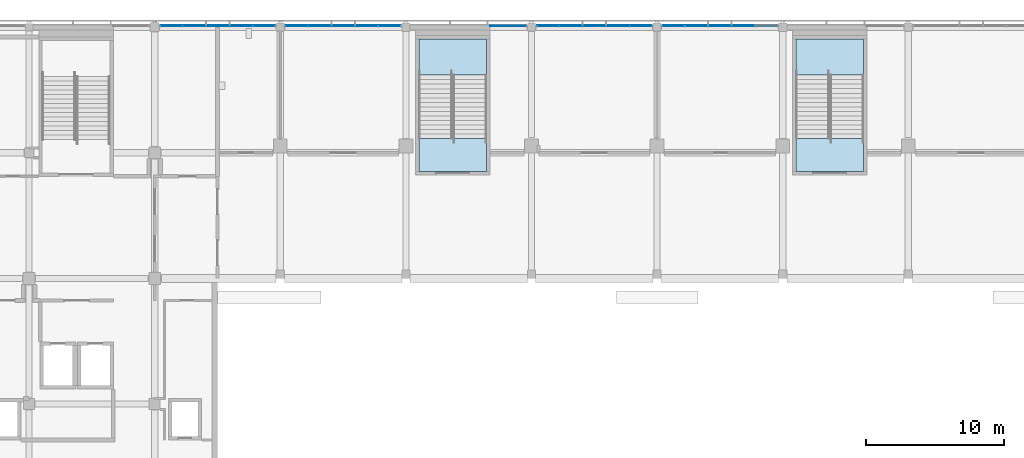
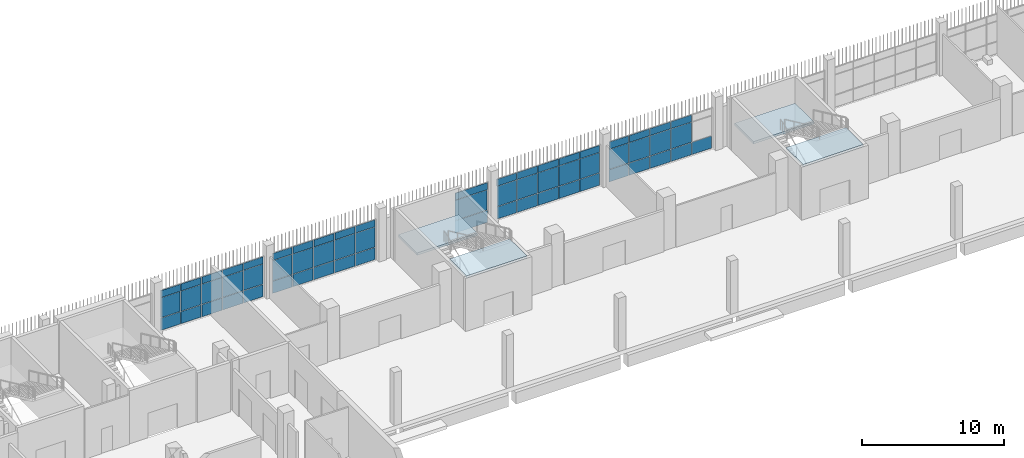
# One storey, part 68 of 126: 61 plates, 4 slabs, 7 elements without a shape of their own.
"""IFC4 building model written with IfcOpenShell, lengths in metres."""

import ifcopenshell
import ifcopenshell.guid

model = None  # the IFC model being written
_history = None  # IfcOwnerHistory: only IFC2X3 demands one
_inside = {}  # id of a spatial element -> (the spatial element, [elements in it])
_under = {}  # id of a project, library or spatial element -> (it, [spatial elements below it])
_declared = {}  # id of a project -> (the project, [libraries it declares])
_typed = {}  # id of a type object -> (the type object, [elements of that type])
_made_of = {}  # id of a material, layer set ... -> (it, [elements and type objects made of it])


def new_model(schema):
    """Start an empty IFC model of exactly this schema.

    Asked for "IFC4X3", IfcOpenShell would pick the latest addendum, in which some entities
    have other attributes; the version numbers below select the first issue.
    IFC2X3 requires an IfcOwnerHistory on every rooted entity: one is made here for all.
    """
    global model, _history
    if schema == "IFC4X3":
        model = ifcopenshell.file(schema_version=(4, 3, 0, 0))
    else:
        model = ifcopenshell.file(schema=schema)
    _inside.clear()
    _under.clear()
    _declared.clear()
    _typed.clear()
    _made_of.clear()
    _history = None
    if model.schema == "IFC2X3":
        org = make("IfcOrganization", Name="unknown")
        user = make(
            "IfcPersonAndOrganization",
            ThePerson=make("IfcPerson", FamilyName="unknown"),
            TheOrganization=org,
        )
        app = make(
            "IfcApplication",
            ApplicationDeveloper=org,
            Version="unknown",
            ApplicationFullName="unknown",
            ApplicationIdentifier="unknown",
        )
        _history = make(
            "IfcOwnerHistory",
            OwningUser=user,
            OwningApplication=app,
            ChangeAction="ADDED",
            CreationDate=0,
        )
    return model


def make(cls, **values):
    """One entity of the class cls with the attributes given. An attribute that is None is left unset."""
    return model.create_entity(
        cls, **{name: value for name, value in values.items() if value is not None}
    )


def rooted(cls, **values):
    """An entity with a GlobalId (a new one), such as an element, a storey or a relation."""
    return make(cls, GlobalId=ifcopenshell.guid.new(), OwnerHistory=_history, **values)


def si_unit(unit_type, name, prefix=None):
    """IfcSIUnit, for example si_unit("LENGTHUNIT", "METRE", prefix="MILLI")."""
    return make("IfcSIUnit", UnitType=unit_type, Prefix=prefix, Name=name)


def assignment(units):
    """IfcUnitAssignment: the units of a project."""
    return None if units is None else make("IfcUnitAssignment", Units=units)


def point(xyz):
    """IfcCartesianPoint."""
    return None if xyz is None else make("IfcCartesianPoint", Coordinates=xyz)


def direction(xyz):
    """IfcDirection."""
    return None if xyz is None else make("IfcDirection", DirectionRatios=xyz)


def frame(location, z_axis=None, x_axis=None):
    """IfcAxis2Placement3D, a coordinate frame: its origin and axes. An axis left out is left unset."""
    return make(
        "IfcAxis2Placement3D",
        Location=point(location),
        Axis=direction(z_axis),
        RefDirection=direction(x_axis),
    )


def frame_2d(location, x_axis=None):
    """IfcAxis2Placement2D, a coordinate frame in the plane: its origin and x axis."""
    return make(
        "IfcAxis2Placement2D", Location=point(location), RefDirection=direction(x_axis)
    )


def origin():
    """The frame at (0, 0, 0) with its axes left unset."""
    return frame((0.0, 0.0, 0.0))


def origin_2d():
    """The frame at (0, 0) in the plane with its x axis left unset."""
    return frame_2d((0.0, 0.0))


def place(relative_to, where):
    """IfcLocalPlacement: puts the frame where relative to a parent placement (None: the world)."""
    return make(
        "IfcLocalPlacement", PlacementRelTo=relative_to, RelativePlacement=where
    )


def context(
    kind, dimensions, precision=None, world=None, true_north=None, identifier=None
):
    """IfcGeometricRepresentationContext, for example the 3D "Model" context."""
    return make(
        "IfcGeometricRepresentationContext",
        ContextIdentifier=identifier,
        ContextType=kind,
        CoordinateSpaceDimension=dimensions,
        Precision=precision,
        WorldCoordinateSystem=world,
        TrueNorth=true_north,
    )


def subcontext(parent, identifier, kind, view, scale=None):
    """IfcGeometricRepresentationSubContext, for example "Body" below "Model"."""
    return make(
        "IfcGeometricRepresentationSubContext",
        ContextIdentifier=identifier,
        ContextType=kind,
        ParentContext=parent,
        TargetScale=scale,
        TargetView=view,
    )


def project(units=None, contexts=None):
    """IfcProject with its units and contexts."""
    return rooted(
        "IfcProject",
        Name="project",
        RepresentationContexts=contexts,
        UnitsInContext=assignment(units),
    )


def spatial(cls, under=None, at=None, **own):
    """A site, building, storey or space (cls), placed at a placement, below another one or the project."""
    s = rooted(cls, ObjectPlacement=at, **own)
    if under is not None:
        _under.setdefault(under.id(), (under, []))[1].append(s)
    return s


def polyline(points):
    """IfcPolyline through the points."""
    return make("IfcPolyline", Points=[point(p) for p in points])


def profile(cls, at=None, kind="AREA", **sizes):
    """A parametric profile (cls). Its sizes go by their IFC names, for example OverallWidth=200.0."""
    return make(cls, ProfileType=kind, Position=at, **sizes)


def rectangle(**sizes):
    """IfcRectangleProfileDef."""
    return profile("IfcRectangleProfileDef", **sizes)


def outline(outer, holes=None, kind="AREA"):
    """IfcArbitraryClosedProfileDef: a profile drawn as a closed curve; with holes, ...WithVoids."""
    if holes is None:
        return make("IfcArbitraryClosedProfileDef", ProfileType=kind, OuterCurve=outer)
    return make(
        "IfcArbitraryProfileDefWithVoids",
        ProfileType=kind,
        OuterCurve=outer,
        InnerCurves=holes,
    )


def extrude(swept, where, along, depth):
    """IfcExtrudedAreaSolid: the profile swept, set in the frame where, extruded along a direction by depth."""
    return make(
        "IfcExtrudedAreaSolid",
        SweptArea=swept,
        Position=where,
        ExtrudedDirection=direction(along),
        Depth=depth,
    )


def shape(context_of_items, identifier, shape_type, items):
    """IfcShapeRepresentation: the items that make up one representation, for example the "Body"."""
    return make(
        "IfcShapeRepresentation",
        ContextOfItems=context_of_items,
        RepresentationIdentifier=identifier,
        RepresentationType=shape_type,
        Items=items,
    )


def material(Name=None, Category=None):
    """IfcMaterial."""
    return make("IfcMaterial", Name=Name, Category=Category)


def layer(
    of_material, thickness, ventilated=None, Name=None, Category=None, Priority=None
):
    """IfcMaterialLayer: one layer of a wall or slab, of a material (None: an air gap)."""
    return make(
        "IfcMaterialLayer",
        Material=of_material,
        LayerThickness=thickness,
        IsVentilated=ventilated,
        Name=Name,
        Category=Category,
        Priority=Priority,
    )


def layer_set(layers, Name=None):
    """IfcMaterialLayerSet."""
    return make("IfcMaterialLayerSet", MaterialLayers=layers, LayerSetName=Name)


def made_of(thing, what):
    """Note that an element or type object is made of a material, layer set ...; save() writes the relation."""
    if what is not None:
        _made_of.setdefault(what.id(), (what, []))[1].append(thing)
    return thing


def type_object(cls, material=None, **own):
    """A type object (cls), such as IfcWallType, which elements share."""
    return made_of(rooted(cls, **own), material)


def element(
    cls,
    number,
    at=None,
    inside=None,
    cuts=None,
    type_object=None,
    material=None,
    context=None,
    identifier="Body",
    shape_type=None,
    held_by="IfcProductDefinitionShape",
    body=None,
    shapes=None,
    **own,
):
    """One element of the class cls, such as IfcWall. Its Tag is "e" and its number.

    at: its placement. inside: the storey or other place that contains it. cuts: it is an
    opening in that element (IfcRelVoidsElement). A single representation is given by context,
    identifier, shape_type and body (its items); several are given by shapes. held_by: the class
    of the entity that holds the representations. save() writes the other relations.
    """
    e = rooted(cls, Tag="e%d" % number, ObjectPlacement=at, **own)
    if body is not None:
        shapes = [shape(context, identifier, shape_type, body)]
    if shapes is not None:
        e.Representation = make(held_by, Representations=shapes)
    if inside is not None:
        _inside.setdefault(inside.id(), (inside, []))[1].append(e)
    if cuts is not None:
        rooted(
            "IfcRelVoidsElement", RelatingBuildingElement=cuts, RelatedOpeningElement=e
        )
    if type_object is not None:
        _typed.setdefault(type_object.id(), (type_object, []))[1].append(e)
    return made_of(e, material)


def aggregate(whole, parts):
    """IfcRelAggregates: a whole, such as a stair, and the parts it consists of."""
    return rooted("IfcRelAggregates", RelatingObject=whole, RelatedObjects=parts)


def save(model, path):
    """Write the relations noted so far, then the file.

    IfcRelAggregates (storeys below a building ...), IfcRelContainedInSpatialStructure (elements
    in a storey), IfcRelDefinesByType, IfcRelAssociatesMaterial and IfcRelDeclares: one each for
    every whole, place, type object, material and project.
    """
    for whole, parts in _under.values():
        aggregate(whole, parts)
    for where, things in _inside.values():
        rooted(
            "IfcRelContainedInSpatialStructure",
            RelatedElements=things,
            RelatingStructure=where,
        )
    for kind, things in _typed.values():
        rooted("IfcRelDefinesByType", RelatedObjects=things, RelatingType=kind)
    for what, things in _made_of.values():
        rooted("IfcRelAssociatesMaterial", RelatedObjects=things, RelatingMaterial=what)
    for by, libraries in _declared.values():
        rooted("IfcRelDeclares", RelatingContext=by, RelatedDefinitions=libraries)
    model.write(path)


model = new_model("IFC4")

# Units and contexts
model_context = context("Model", 3, precision=1e-05, world=origin(), true_north=direction((0.0, 1.0)))
body_context = subcontext(model_context, "Body", "Model", "MODEL_VIEW")
ifc_project = project(units=[si_unit("LENGTHUNIT", "METRE"), si_unit("AREAUNIT", "SQUARE_METRE"), si_unit("VOLUMEUNIT", "CUBIC_METRE"), si_unit("PLANEANGLEUNIT", "RADIAN"), si_unit("MASSUNIT", "GRAM", prefix="KILO")], contexts=[model_context])

# Site, building, storey
site_placement = place(None, origin())
site = spatial("IfcSite", under=ifc_project, at=site_placement, CompositionType="ELEMENT")
building_placement = place(site_placement, origin())
building = spatial("IfcBuilding", under=site, at=building_placement, Name="Shirokan Park Arena", CompositionType="ELEMENT")
storey_placement = place(building_placement, frame((0.0, 0.0, 6.3701171875)))
storey = spatial("IfcBuildingStorey", under=building, at=storey_placement, Name="L01", CompositionType="ELEMENT", Elevation=6.3701171875)

# Curtain wall, plates
ifc_material_1 = material(Name="Steel and glass curtain wall", Category="steel")
ifc_layer_1 = layer(ifc_material_1, 0.10009765625)
ifc_layer_set_1 = layer_set([ifc_layer_1], Name="Steel and glass curtain wall 100 mm")
curtain_wall_type_1 = type_object("IfcCurtainWallType", Name="Curtain wall sheltered bay 100", PredefinedType="NOTDEFINED", material=ifc_layer_set_1)
curtain_wall_1_placement = place(storey_placement, origin())
curtain_wall_1 = element("IfcCurtainWall", 1, at=curtain_wall_1_placement, inside=storey, type_object=curtain_wall_type_1, Name="Curtain wall north bay 8 L01", PredefinedType="NOTDEFINED")
ifc_material_2 = material(Name="Aluminium sheet", Category="aluminium")
ifc_layer_2 = layer(ifc_material_2, 0.0029296875, Name="Aluminium sheet")
ifc_material_3 = material(Name="Mineral wool insulation")
ifc_layer_3 = layer(ifc_material_3, 0.053955078125, Name="Mineral wool insulation")
ifc_layer_4 = layer(ifc_material_2, 0.0029296875, Name="Aluminium sheet")
ifc_layer_set_2 = layer_set([ifc_layer_2, ifc_layer_3, ifc_layer_4], Name="Aluminium sheet + Mineral wool insulation")
plate_type_1 = type_object("IfcPlateType", Name="Insulated spandrel panel 60", PredefinedType="CURTAIN_PANEL", material=ifc_layer_set_2)
plate_1_placement = place(storey_placement, frame((79.050048828125, 109.300048828125, 2.86962890625), z_axis=(0.0, 0.0, 1.0), x_axis=(-1.0, 0.0, 0.0)))
plate_1 = element("IfcPlate", 2, at=plate_1_placement, type_object=plate_type_1, Name="CW2 panel 2.3", PredefinedType="CURTAIN_PANEL", context=body_context, shape_type="SweptSolid", body=[
    extrude(rectangle(XDim=1.64990234375, YDim=0.06005859375, at=origin_2d()), origin(), (0.0, 0.0, 1.0), 0.590087890625),
])
plate_2_placement = place(storey_placement, frame((77.35009765625, 109.300048828125, 2.86962890625), z_axis=(0.0, 0.0, 1.0), x_axis=(-1.0, 0.0, 0.0)))
plate_2 = element("IfcPlate", 3, at=plate_2_placement, type_object=plate_type_1, Name="CW2 panel 3.3", PredefinedType="CURTAIN_PANEL", context=body_context, shape_type="SweptSolid", body=[
    extrude(rectangle(XDim=1.64990234375, YDim=0.06005859375, at=origin_2d()), origin(), (0.0, 0.0, 1.0), 0.590087890625),
])
plate_3_placement = place(storey_placement, frame((75.64990234375, 109.300048828125, 2.86962890625), z_axis=(0.0, 0.0, 1.0), x_axis=(-1.0, 0.0, 0.0)))
plate_3 = element("IfcPlate", 4, at=plate_3_placement, type_object=plate_type_1, Name="CW2 panel 4.3", PredefinedType="CURTAIN_PANEL", context=body_context, shape_type="SweptSolid", body=[
    extrude(rectangle(XDim=1.64990234375, YDim=0.06005859375, at=origin_2d()), origin(), (0.0, 0.0, 1.0), 0.590087890625),
])
plate_4_placement = place(storey_placement, frame((73.987548828125, 109.300048828125, 2.86962890625), z_axis=(0.0, 0.0, 1.0), x_axis=(-1.0, 0.0, 0.0)))
plate_4 = element("IfcPlate", 5, at=plate_4_placement, type_object=plate_type_1, Name="CW2 panel 5.3", PredefinedType="CURTAIN_PANEL", context=body_context, shape_type="SweptSolid", body=[
    extrude(rectangle(XDim=1.574951171875, YDim=0.06005859375, at=origin_2d()), origin(), (0.0, 0.0, 1.0), 0.590087890625),
])

curtain_wall_2_placement = place(storey_placement, origin())
curtain_wall_2 = element("IfcCurtainWall", 6, at=curtain_wall_2_placement, inside=storey, type_object=curtain_wall_type_1, Name="Curtain wall north bay 9 L01", PredefinedType="NOTDEFINED")
plate_5_placement = place(storey_placement, frame((71.612548828125, 109.300048828125, 2.86962890625), z_axis=(0.0, 0.0, 1.0), x_axis=(-1.0, 0.0, 0.0)))
plate_5 = element("IfcPlate", 7, at=plate_5_placement, type_object=plate_type_1, Name="CW2 panel 1.3", PredefinedType="CURTAIN_PANEL", context=body_context, shape_type="SweptSolid", body=[
    extrude(rectangle(XDim=1.574951171875, YDim=0.06005859375, at=origin_2d()), origin(), (0.0, 0.0, 1.0), 0.590087890625),
])
plate_6_placement = place(storey_placement, frame((69.949951171875, 109.300048828125, 2.86962890625), z_axis=(0.0, 0.0, 1.0), x_axis=(-1.0, 0.0, 0.0)))
plate_6 = element("IfcPlate", 8, at=plate_6_placement, type_object=plate_type_1, Name="CW2 panel 2.3", PredefinedType="CURTAIN_PANEL", context=body_context, shape_type="SweptSolid", body=[
    extrude(rectangle(XDim=1.64990234375, YDim=0.06005859375, at=origin_2d()), origin(), (0.0, 0.0, 1.0), 0.590087890625),
])
plate_7_placement = place(storey_placement, frame((68.25, 109.300048828125, 2.86962890625), z_axis=(0.0, 0.0, 1.0), x_axis=(-1.0, 0.0, 0.0)))
plate_7 = element("IfcPlate", 9, at=plate_7_placement, type_object=plate_type_1, Name="CW2 panel 3.3", PredefinedType="CURTAIN_PANEL", context=body_context, shape_type="SweptSolid", body=[
    extrude(rectangle(XDim=1.64990234375, YDim=0.06005859375, at=origin_2d()), origin(), (0.0, 0.0, 1.0), 0.590087890625),
])
plate_8_placement = place(storey_placement, frame((66.550048828125, 109.300048828125, 2.86962890625), z_axis=(0.0, 0.0, 1.0), x_axis=(-1.0, 0.0, 0.0)))
plate_8 = element("IfcPlate", 10, at=plate_8_placement, type_object=plate_type_1, Name="CW2 panel 4.3", PredefinedType="CURTAIN_PANEL", context=body_context, shape_type="SweptSolid", body=[
    extrude(rectangle(XDim=1.64990234375, YDim=0.06005859375, at=origin_2d()), origin(), (0.0, 0.0, 1.0), 0.590087890625),
])
plate_9_placement = place(storey_placement, frame((64.887451171875, 109.300048828125, 2.86962890625), z_axis=(0.0, 0.0, 1.0), x_axis=(-1.0, 0.0, 0.0)))
plate_9 = element("IfcPlate", 11, at=plate_9_placement, type_object=plate_type_1, Name="CW2 panel 5.3", PredefinedType="CURTAIN_PANEL", context=body_context, shape_type="SweptSolid", body=[
    extrude(rectangle(XDim=1.574951171875, YDim=0.06005859375, at=origin_2d()), origin(), (0.0, 0.0, 1.0), 0.590087890625),
])

# Curtain wall, plate
ifc_layer_5 = layer(ifc_material_1, 0.1201171875)
ifc_layer_set_3 = layer_set([ifc_layer_5], Name="Steel and glass curtain wall 120 mm")
curtain_wall_type_2 = type_object("IfcCurtainWallType", Name="Curtain wall corner block side bay 120", PredefinedType="NOTDEFINED", material=ifc_layer_set_3)
curtain_wall_3_placement = place(storey_placement, origin())
curtain_wall_3 = element("IfcCurtainWall", 12, at=curtain_wall_3_placement, inside=storey, type_object=curtain_wall_type_2, Name="Curtain wall north bay 10 L01", PredefinedType="NOTDEFINED")
plate_10_placement = place(storey_placement, frame((62.0, 109.2900390625, 2.86962890625), z_axis=(0.0, 0.0, 1.0), x_axis=(-1.0, 0.0, 0.0)))
plate_10 = element("IfcPlate", 13, at=plate_10_placement, type_object=plate_type_1, Name="CW3 panel 1.3", PredefinedType="CURTAIN_PANEL", context=body_context, shape_type="SweptSolid", body=[
    extrude(rectangle(XDim=2.60009765625, YDim=0.06005859375, at=origin_2d()), origin(), (0.0, 0.0, 1.0), 0.590087890625),
])

# Curtain wall, plates
curtain_wall_4_placement = place(storey_placement, origin())
curtain_wall_4 = element("IfcCurtainWall", 14, at=curtain_wall_4_placement, inside=storey, type_object=curtain_wall_type_1, Name="Curtain wall north bay 11 L01", PredefinedType="NOTDEFINED")
plate_11_placement = place(storey_placement, frame((53.41259765625, 109.300048828125, 2.86962890625), z_axis=(0.0, 0.0, 1.0), x_axis=(-1.0, 0.0, 0.0)))
plate_11 = element("IfcPlate", 15, at=plate_11_placement, type_object=plate_type_1, Name="CW2 panel 1.3", PredefinedType="CURTAIN_PANEL", context=body_context, shape_type="SweptSolid", body=[
    extrude(rectangle(XDim=1.574951171875, YDim=0.06005859375, at=origin_2d()), origin(), (0.0, 0.0, 1.0), 0.590087890625),
])
plate_12_placement = place(storey_placement, frame((51.75, 109.300048828125, 2.86962890625), z_axis=(0.0, 0.0, 1.0), x_axis=(-1.0, 0.0, 0.0)))
plate_12 = element("IfcPlate", 16, at=plate_12_placement, type_object=plate_type_1, Name="CW2 panel 2.3", PredefinedType="CURTAIN_PANEL", context=body_context, shape_type="SweptSolid", body=[
    extrude(rectangle(XDim=1.64990234375, YDim=0.06005859375, at=origin_2d()), origin(), (0.0, 0.0, 1.0), 0.590087890625),
])
plate_13_placement = place(storey_placement, frame((50.050048828125, 109.300048828125, 2.86962890625), z_axis=(0.0, 0.0, 1.0), x_axis=(-1.0, 0.0, 0.0)))
plate_13 = element("IfcPlate", 17, at=plate_13_placement, type_object=plate_type_1, Name="CW2 panel 3.3", PredefinedType="CURTAIN_PANEL", context=body_context, shape_type="SweptSolid", body=[
    extrude(rectangle(XDim=1.64990234375, YDim=0.06005859375, at=origin_2d()), origin(), (0.0, 0.0, 1.0), 0.590087890625),
])
plate_14_placement = place(storey_placement, frame((48.35009765625, 109.300048828125, 2.86962890625), z_axis=(0.0, 0.0, 1.0), x_axis=(-1.0, 0.0, 0.0)))
plate_14 = element("IfcPlate", 18, at=plate_14_placement, type_object=plate_type_1, Name="CW2 panel 4.3", PredefinedType="CURTAIN_PANEL", context=body_context, shape_type="SweptSolid", body=[
    extrude(rectangle(XDim=1.64990234375, YDim=0.06005859375, at=origin_2d()), origin(), (0.0, 0.0, 1.0), 0.590087890625),
])
plate_15_placement = place(storey_placement, frame((46.6875, 109.300048828125, 2.86962890625), z_axis=(0.0, 0.0, 1.0), x_axis=(-1.0, 0.0, 0.0)))
plate_15 = element("IfcPlate", 19, at=plate_15_placement, type_object=plate_type_1, Name="CW2 panel 5.3", PredefinedType="CURTAIN_PANEL", context=body_context, shape_type="SweptSolid", body=[
    extrude(rectangle(XDim=1.574951171875, YDim=0.06005859375, at=origin_2d()), origin(), (0.0, 0.0, 1.0), 0.590087890625),
])

curtain_wall_5_placement = place(storey_placement, origin())
curtain_wall_5 = element("IfcCurtainWall", 20, at=curtain_wall_5_placement, inside=storey, type_object=curtain_wall_type_1, Name="Curtain wall north bay 12 L01", PredefinedType="NOTDEFINED")
plate_16_placement = place(storey_placement, frame((44.31494140625, 109.300048828125, 2.86962890625), z_axis=(0.0, 0.0, 1.0), x_axis=(-1.0, 0.0, 0.0)))
plate_16 = element("IfcPlate", 21, at=plate_16_placement, type_object=plate_type_1, Name="CW2 panel 1.3", PredefinedType="CURTAIN_PANEL", context=body_context, shape_type="SweptSolid", body=[
    extrude(rectangle(XDim=1.570068359375, YDim=0.06005859375, at=origin_2d()), origin(), (0.0, 0.0, 1.0), 0.590087890625),
])
plate_17_placement = place(storey_placement, frame((42.657470703125, 109.300048828125, 2.86962890625), z_axis=(0.0, 0.0, 1.0), x_axis=(-1.0, 0.0, 0.0)))
plate_17 = element("IfcPlate", 22, at=plate_17_placement, type_object=plate_type_1, Name="CW2 panel 2.3", PredefinedType="CURTAIN_PANEL", context=body_context, shape_type="SweptSolid", body=[
    extrude(rectangle(XDim=1.64501953125, YDim=0.06005859375, at=origin_2d()), origin(), (0.0, 0.0, 1.0), 0.590087890625),
])
plate_18_placement = place(storey_placement, frame((40.96240234375, 109.300048828125, 2.86962890625), z_axis=(0.0, 0.0, 1.0), x_axis=(-1.0, 0.0, 0.0)))
plate_18 = element("IfcPlate", 23, at=plate_18_placement, type_object=plate_type_1, Name="CW2 panel 3.3", PredefinedType="CURTAIN_PANEL", context=body_context, shape_type="SweptSolid", body=[
    extrude(rectangle(XDim=1.64501953125, YDim=0.06005859375, at=origin_2d()), origin(), (0.0, 0.0, 1.0), 0.590087890625),
])
plate_19_placement = place(storey_placement, frame((39.267578125, 109.300048828125, 2.86962890625), z_axis=(0.0, 0.0, 1.0), x_axis=(-1.0, 0.0, 0.0)))
plate_19 = element("IfcPlate", 24, at=plate_19_placement, type_object=plate_type_1, Name="CW2 panel 4.3", PredefinedType="CURTAIN_PANEL", context=body_context, shape_type="SweptSolid", body=[
    extrude(rectangle(XDim=1.64501953125, YDim=0.06005859375, at=origin_2d()), origin(), (0.0, 0.0, 1.0), 0.590087890625),
])
plate_20_placement = place(storey_placement, frame((37.610107421875, 109.300048828125, 2.86962890625), z_axis=(0.0, 0.0, 1.0), x_axis=(-1.0, 0.0, 0.0)))
plate_20 = element("IfcPlate", 25, at=plate_20_placement, type_object=plate_type_1, Name="CW2 panel 5.3", PredefinedType="CURTAIN_PANEL", context=body_context, shape_type="SweptSolid", body=[
    extrude(rectangle(XDim=1.570068359375, YDim=0.06005859375, at=origin_2d()), origin(), (0.0, 0.0, 1.0), 0.590087890625),
])

# Plate
ifc_material_4 = material(Name="Toughened glass", Category="glass")
ifc_layer_6 = layer(ifc_material_4, 0.012939453125, Name="Toughened glass")
ifc_material_5 = material(Name="Interlayer film")
ifc_layer_7 = layer(ifc_material_5, 0.001953125, Name="Interlayer film")
ifc_layer_8 = layer(ifc_material_4, 0.012939453125, Name="Toughened glass")
ifc_layer_set_4 = layer_set([ifc_layer_6, ifc_layer_7, ifc_layer_8], Name="Toughened glass + Interlayer film")
plate_type_2 = type_object("IfcPlateType", Name="Laminated glass panel 28", PredefinedType="CURTAIN_PANEL", material=ifc_layer_set_4)
plate_21_placement = place(storey_placement, frame((79.050048828125, 109.300048828125, 1.119873046875), z_axis=(0.0, 0.0, 1.0), x_axis=(-1.0, 0.0, 0.0)))
plate_21 = element("IfcPlate", 26, at=plate_21_placement, type_object=plate_type_2, Name="CW2 panel 2.2", PredefinedType="CURTAIN_PANEL", context=body_context, shape_type="SweptSolid", body=[
    extrude(rectangle(XDim=1.64990234375, YDim=0.028076171875, at=origin_2d()), origin(), (0.0, 0.0, 1.0), 1.7099609375),
])

plate_22_placement = place(storey_placement, frame((77.35009765625, 109.300048828125, 1.119873046875), z_axis=(0.0, 0.0, 1.0), x_axis=(-1.0, 0.0, 0.0)))
plate_22 = element("IfcPlate", 27, at=plate_22_placement, type_object=plate_type_2, Name="CW2 panel 3.2", PredefinedType="CURTAIN_PANEL", context=body_context, shape_type="SweptSolid", body=[
    extrude(rectangle(XDim=1.64990234375, YDim=0.028076171875, at=origin_2d()), origin(), (0.0, 0.0, 1.0), 1.7099609375),
])

plate_23_placement = place(storey_placement, frame((75.64990234375, 109.300048828125, 1.119873046875), z_axis=(0.0, 0.0, 1.0), x_axis=(-1.0, 0.0, 0.0)))
plate_23 = element("IfcPlate", 28, at=plate_23_placement, type_object=plate_type_2, Name="CW2 panel 4.2", PredefinedType="CURTAIN_PANEL", context=body_context, shape_type="SweptSolid", body=[
    extrude(rectangle(XDim=1.64990234375, YDim=0.028076171875, at=origin_2d()), origin(), (0.0, 0.0, 1.0), 1.7099609375),
])

plate_24_placement = place(storey_placement, frame((73.987548828125, 109.300048828125, 1.119873046875), z_axis=(0.0, 0.0, 1.0), x_axis=(-1.0, 0.0, 0.0)))
plate_24 = element("IfcPlate", 29, at=plate_24_placement, type_object=plate_type_2, Name="CW2 panel 5.2", PredefinedType="CURTAIN_PANEL", context=body_context, shape_type="SweptSolid", body=[
    extrude(rectangle(XDim=1.574951171875, YDim=0.028076171875, at=origin_2d()), origin(), (0.0, 0.0, 1.0), 1.7099609375),
])

plate_25_placement = place(storey_placement, frame((71.612548828125, 109.300048828125, 1.119873046875), z_axis=(0.0, 0.0, 1.0), x_axis=(-1.0, 0.0, 0.0)))
plate_25 = element("IfcPlate", 30, at=plate_25_placement, type_object=plate_type_2, Name="CW2 panel 1.2", PredefinedType="CURTAIN_PANEL", context=body_context, shape_type="SweptSolid", body=[
    extrude(rectangle(XDim=1.574951171875, YDim=0.028076171875, at=origin_2d()), origin(), (0.0, 0.0, 1.0), 1.7099609375),
])

plate_26_placement = place(storey_placement, frame((69.949951171875, 109.300048828125, 1.119873046875), z_axis=(0.0, 0.0, 1.0), x_axis=(-1.0, 0.0, 0.0)))
plate_26 = element("IfcPlate", 31, at=plate_26_placement, type_object=plate_type_2, Name="CW2 panel 2.2", PredefinedType="CURTAIN_PANEL", context=body_context, shape_type="SweptSolid", body=[
    extrude(rectangle(XDim=1.64990234375, YDim=0.028076171875, at=origin_2d()), origin(), (0.0, 0.0, 1.0), 1.7099609375),
])

plate_27_placement = place(storey_placement, frame((68.25, 109.300048828125, 1.119873046875), z_axis=(0.0, 0.0, 1.0), x_axis=(-1.0, 0.0, 0.0)))
plate_27 = element("IfcPlate", 32, at=plate_27_placement, type_object=plate_type_2, Name="CW2 panel 3.2", PredefinedType="CURTAIN_PANEL", context=body_context, shape_type="SweptSolid", body=[
    extrude(rectangle(XDim=1.64990234375, YDim=0.028076171875, at=origin_2d()), origin(), (0.0, 0.0, 1.0), 1.7099609375),
])

plate_28_placement = place(storey_placement, frame((66.550048828125, 109.300048828125, 1.119873046875), z_axis=(0.0, 0.0, 1.0), x_axis=(-1.0, 0.0, 0.0)))
plate_28 = element("IfcPlate", 33, at=plate_28_placement, type_object=plate_type_2, Name="CW2 panel 4.2", PredefinedType="CURTAIN_PANEL", context=body_context, shape_type="SweptSolid", body=[
    extrude(rectangle(XDim=1.64990234375, YDim=0.028076171875, at=origin_2d()), origin(), (0.0, 0.0, 1.0), 1.7099609375),
])

plate_29_placement = place(storey_placement, frame((64.887451171875, 109.300048828125, 1.119873046875), z_axis=(0.0, 0.0, 1.0), x_axis=(-1.0, 0.0, 0.0)))
plate_29 = element("IfcPlate", 34, at=plate_29_placement, type_object=plate_type_2, Name="CW2 panel 5.2", PredefinedType="CURTAIN_PANEL", context=body_context, shape_type="SweptSolid", body=[
    extrude(rectangle(XDim=1.574951171875, YDim=0.028076171875, at=origin_2d()), origin(), (0.0, 0.0, 1.0), 1.7099609375),
])

plate_30_placement = place(storey_placement, frame((62.0, 109.2900390625, 1.119873046875), z_axis=(0.0, 0.0, 1.0), x_axis=(-1.0, 0.0, 0.0)))
plate_30 = element("IfcPlate", 35, at=plate_30_placement, type_object=plate_type_2, Name="CW3 panel 1.2", PredefinedType="CURTAIN_PANEL", context=body_context, shape_type="SweptSolid", body=[
    extrude(rectangle(XDim=2.60009765625, YDim=0.028076171875, at=origin_2d()), origin(), (0.0, 0.0, 1.0), 1.7099609375),
])

plate_31_placement = place(storey_placement, frame((53.41259765625, 109.300048828125, 1.119873046875), z_axis=(0.0, 0.0, 1.0), x_axis=(-1.0, 0.0, 0.0)))
plate_31 = element("IfcPlate", 36, at=plate_31_placement, type_object=plate_type_2, Name="CW2 panel 1.2", PredefinedType="CURTAIN_PANEL", context=body_context, shape_type="SweptSolid", body=[
    extrude(rectangle(XDim=1.574951171875, YDim=0.028076171875, at=origin_2d()), origin(), (0.0, 0.0, 1.0), 1.7099609375),
])

plate_32_placement = place(storey_placement, frame((51.75, 109.300048828125, 1.119873046875), z_axis=(0.0, 0.0, 1.0), x_axis=(-1.0, 0.0, 0.0)))
plate_32 = element("IfcPlate", 37, at=plate_32_placement, type_object=plate_type_2, Name="CW2 panel 2.2", PredefinedType="CURTAIN_PANEL", context=body_context, shape_type="SweptSolid", body=[
    extrude(rectangle(XDim=1.64990234375, YDim=0.028076171875, at=origin_2d()), origin(), (0.0, 0.0, 1.0), 1.7099609375),
])

plate_33_placement = place(storey_placement, frame((50.050048828125, 109.300048828125, 1.119873046875), z_axis=(0.0, 0.0, 1.0), x_axis=(-1.0, 0.0, 0.0)))
plate_33 = element("IfcPlate", 38, at=plate_33_placement, type_object=plate_type_2, Name="CW2 panel 3.2", PredefinedType="CURTAIN_PANEL", context=body_context, shape_type="SweptSolid", body=[
    extrude(rectangle(XDim=1.64990234375, YDim=0.028076171875, at=origin_2d()), origin(), (0.0, 0.0, 1.0), 1.7099609375),
])

plate_34_placement = place(storey_placement, frame((48.35009765625, 109.300048828125, 1.119873046875), z_axis=(0.0, 0.0, 1.0), x_axis=(-1.0, 0.0, 0.0)))
plate_34 = element("IfcPlate", 39, at=plate_34_placement, type_object=plate_type_2, Name="CW2 panel 4.2", PredefinedType="CURTAIN_PANEL", context=body_context, shape_type="SweptSolid", body=[
    extrude(rectangle(XDim=1.64990234375, YDim=0.028076171875, at=origin_2d()), origin(), (0.0, 0.0, 1.0), 1.7099609375),
])

plate_35_placement = place(storey_placement, frame((46.6875, 109.300048828125, 1.119873046875), z_axis=(0.0, 0.0, 1.0), x_axis=(-1.0, 0.0, 0.0)))
plate_35 = element("IfcPlate", 40, at=plate_35_placement, type_object=plate_type_2, Name="CW2 panel 5.2", PredefinedType="CURTAIN_PANEL", context=body_context, shape_type="SweptSolid", body=[
    extrude(rectangle(XDim=1.574951171875, YDim=0.028076171875, at=origin_2d()), origin(), (0.0, 0.0, 1.0), 1.7099609375),
])

plate_36_placement = place(storey_placement, frame((44.31494140625, 109.300048828125, 1.119873046875), z_axis=(0.0, 0.0, 1.0), x_axis=(-1.0, 0.0, 0.0)))
plate_36 = element("IfcPlate", 41, at=plate_36_placement, type_object=plate_type_2, Name="CW2 panel 1.2", PredefinedType="CURTAIN_PANEL", context=body_context, shape_type="SweptSolid", body=[
    extrude(rectangle(XDim=1.570068359375, YDim=0.028076171875, at=origin_2d()), origin(), (0.0, 0.0, 1.0), 1.7099609375),
])

plate_37_placement = place(storey_placement, frame((42.657470703125, 109.300048828125, 1.119873046875), z_axis=(0.0, 0.0, 1.0), x_axis=(-1.0, 0.0, 0.0)))
plate_37 = element("IfcPlate", 42, at=plate_37_placement, type_object=plate_type_2, Name="CW2 panel 2.2", PredefinedType="CURTAIN_PANEL", context=body_context, shape_type="SweptSolid", body=[
    extrude(rectangle(XDim=1.64501953125, YDim=0.028076171875, at=origin_2d()), origin(), (0.0, 0.0, 1.0), 1.7099609375),
])

plate_38_placement = place(storey_placement, frame((40.96240234375, 109.300048828125, 1.119873046875), z_axis=(0.0, 0.0, 1.0), x_axis=(-1.0, 0.0, 0.0)))
plate_38 = element("IfcPlate", 43, at=plate_38_placement, type_object=plate_type_2, Name="CW2 panel 3.2", PredefinedType="CURTAIN_PANEL", context=body_context, shape_type="SweptSolid", body=[
    extrude(rectangle(XDim=1.64501953125, YDim=0.028076171875, at=origin_2d()), origin(), (0.0, 0.0, 1.0), 1.7099609375),
])

plate_39_placement = place(storey_placement, frame((39.267578125, 109.300048828125, 1.119873046875), z_axis=(0.0, 0.0, 1.0), x_axis=(-1.0, 0.0, 0.0)))
plate_39 = element("IfcPlate", 44, at=plate_39_placement, type_object=plate_type_2, Name="CW2 panel 4.2", PredefinedType="CURTAIN_PANEL", context=body_context, shape_type="SweptSolid", body=[
    extrude(rectangle(XDim=1.64501953125, YDim=0.028076171875, at=origin_2d()), origin(), (0.0, 0.0, 1.0), 1.7099609375),
])

plate_40_placement = place(storey_placement, frame((37.610107421875, 109.300048828125, 1.119873046875), z_axis=(0.0, 0.0, 1.0), x_axis=(-1.0, 0.0, 0.0)))
plate_40 = element("IfcPlate", 45, at=plate_40_placement, type_object=plate_type_2, Name="CW2 panel 5.2", PredefinedType="CURTAIN_PANEL", context=body_context, shape_type="SweptSolid", body=[
    extrude(rectangle(XDim=1.570068359375, YDim=0.028076171875, at=origin_2d()), origin(), (0.0, 0.0, 1.0), 1.7099609375),
])

ifc_layer_9 = layer(ifc_material_4, 0.01708984375, Name="Toughened glass")
ifc_layer_10 = layer(ifc_material_5, 0.001953125, Name="Interlayer film")
ifc_layer_11 = layer(ifc_material_4, 0.01708984375, Name="Toughened glass")
ifc_layer_set_5 = layer_set([ifc_layer_9, ifc_layer_10, ifc_layer_11], Name="Toughened glass + Interlayer film")
plate_type_3 = type_object("IfcPlateType", Name="Laminated safety glass panel 36", PredefinedType="CURTAIN_PANEL", material=ifc_layer_set_5)
plate_41_placement = place(storey_placement, frame((80.71240234375, 109.300048828125, 0.039794921875), z_axis=(0.0, 0.0, 1.0), x_axis=(-1.0, 0.0, 0.0)))
plate_41 = element("IfcPlate", 46, at=plate_41_placement, type_object=plate_type_3, Name="CW2 panel 1.1", PredefinedType="CURTAIN_PANEL", context=body_context, shape_type="SweptSolid", body=[
    extrude(rectangle(XDim=1.574951171875, YDim=0.035888671875, at=origin_2d()), origin(), (0.0, 0.0, 1.0), 1.0400390625),
])

plate_42_placement = place(storey_placement, frame((79.050048828125, 109.300048828125, 0.039794921875), z_axis=(0.0, 0.0, 1.0), x_axis=(-1.0, 0.0, 0.0)))
plate_42 = element("IfcPlate", 47, at=plate_42_placement, type_object=plate_type_3, Name="CW2 panel 2.1", PredefinedType="CURTAIN_PANEL", context=body_context, shape_type="SweptSolid", body=[
    extrude(rectangle(XDim=1.64990234375, YDim=0.035888671875, at=origin_2d()), origin(), (0.0, 0.0, 1.0), 1.0400390625),
])

plate_43_placement = place(storey_placement, frame((77.35009765625, 109.300048828125, 0.039794921875), z_axis=(0.0, 0.0, 1.0), x_axis=(-1.0, 0.0, 0.0)))
plate_43 = element("IfcPlate", 48, at=plate_43_placement, type_object=plate_type_3, Name="CW2 panel 3.1", PredefinedType="CURTAIN_PANEL", context=body_context, shape_type="SweptSolid", body=[
    extrude(rectangle(XDim=1.64990234375, YDim=0.035888671875, at=origin_2d()), origin(), (0.0, 0.0, 1.0), 1.0400390625),
])

plate_44_placement = place(storey_placement, frame((75.64990234375, 109.300048828125, 0.039794921875), z_axis=(0.0, 0.0, 1.0), x_axis=(-1.0, 0.0, 0.0)))
plate_44 = element("IfcPlate", 49, at=plate_44_placement, type_object=plate_type_3, Name="CW2 panel 4.1", PredefinedType="CURTAIN_PANEL", context=body_context, shape_type="SweptSolid", body=[
    extrude(rectangle(XDim=1.64990234375, YDim=0.035888671875, at=origin_2d()), origin(), (0.0, 0.0, 1.0), 1.0400390625),
])

plate_45_placement = place(storey_placement, frame((73.987548828125, 109.300048828125, 0.039794921875), z_axis=(0.0, 0.0, 1.0), x_axis=(-1.0, 0.0, 0.0)))
plate_45 = element("IfcPlate", 50, at=plate_45_placement, type_object=plate_type_3, Name="CW2 panel 5.1", PredefinedType="CURTAIN_PANEL", context=body_context, shape_type="SweptSolid", body=[
    extrude(rectangle(XDim=1.574951171875, YDim=0.035888671875, at=origin_2d()), origin(), (0.0, 0.0, 1.0), 1.0400390625),
])

aggregate(curtain_wall_1, [plate_41, plate_42, plate_21, plate_1, plate_43, plate_22, plate_2, plate_44, plate_23, plate_3, plate_45, plate_24, plate_4])

plate_46_placement = place(storey_placement, frame((71.612548828125, 109.300048828125, 0.039794921875), z_axis=(0.0, 0.0, 1.0), x_axis=(-1.0, 0.0, 0.0)))
plate_46 = element("IfcPlate", 51, at=plate_46_placement, type_object=plate_type_3, Name="CW2 panel 1.1", PredefinedType="CURTAIN_PANEL", context=body_context, shape_type="SweptSolid", body=[
    extrude(rectangle(XDim=1.574951171875, YDim=0.035888671875, at=origin_2d()), origin(), (0.0, 0.0, 1.0), 1.0400390625),
])

plate_47_placement = place(storey_placement, frame((69.949951171875, 109.300048828125, 0.039794921875), z_axis=(0.0, 0.0, 1.0), x_axis=(-1.0, 0.0, 0.0)))
plate_47 = element("IfcPlate", 52, at=plate_47_placement, type_object=plate_type_3, Name="CW2 panel 2.1", PredefinedType="CURTAIN_PANEL", context=body_context, shape_type="SweptSolid", body=[
    extrude(rectangle(XDim=1.64990234375, YDim=0.035888671875, at=origin_2d()), origin(), (0.0, 0.0, 1.0), 1.0400390625),
])

plate_48_placement = place(storey_placement, frame((68.25, 109.300048828125, 0.039794921875), z_axis=(0.0, 0.0, 1.0), x_axis=(-1.0, 0.0, 0.0)))
plate_48 = element("IfcPlate", 53, at=plate_48_placement, type_object=plate_type_3, Name="CW2 panel 3.1", PredefinedType="CURTAIN_PANEL", context=body_context, shape_type="SweptSolid", body=[
    extrude(rectangle(XDim=1.64990234375, YDim=0.035888671875, at=origin_2d()), origin(), (0.0, 0.0, 1.0), 1.0400390625),
])

plate_49_placement = place(storey_placement, frame((66.550048828125, 109.300048828125, 0.039794921875), z_axis=(0.0, 0.0, 1.0), x_axis=(-1.0, 0.0, 0.0)))
plate_49 = element("IfcPlate", 54, at=plate_49_placement, type_object=plate_type_3, Name="CW2 panel 4.1", PredefinedType="CURTAIN_PANEL", context=body_context, shape_type="SweptSolid", body=[
    extrude(rectangle(XDim=1.64990234375, YDim=0.035888671875, at=origin_2d()), origin(), (0.0, 0.0, 1.0), 1.0400390625),
])

plate_50_placement = place(storey_placement, frame((64.887451171875, 109.300048828125, 0.039794921875), z_axis=(0.0, 0.0, 1.0), x_axis=(-1.0, 0.0, 0.0)))
plate_50 = element("IfcPlate", 55, at=plate_50_placement, type_object=plate_type_3, Name="CW2 panel 5.1", PredefinedType="CURTAIN_PANEL", context=body_context, shape_type="SweptSolid", body=[
    extrude(rectangle(XDim=1.574951171875, YDim=0.035888671875, at=origin_2d()), origin(), (0.0, 0.0, 1.0), 1.0400390625),
])

aggregate(curtain_wall_2, [plate_46, plate_25, plate_5, plate_47, plate_26, plate_6, plate_48, plate_27, plate_7, plate_49, plate_28, plate_8, plate_50, plate_29, plate_9])

plate_51_placement = place(storey_placement, frame((62.0, 109.2900390625, 0.039794921875), z_axis=(0.0, 0.0, 1.0), x_axis=(-1.0, 0.0, 0.0)))
plate_51 = element("IfcPlate", 56, at=plate_51_placement, type_object=plate_type_3, Name="CW3 panel 1.1", PredefinedType="CURTAIN_PANEL", context=body_context, shape_type="SweptSolid", body=[
    extrude(rectangle(XDim=2.60009765625, YDim=0.035888671875, at=origin_2d()), origin(), (0.0, 0.0, 1.0), 1.0400390625),
])

aggregate(curtain_wall_3, [plate_51, plate_30, plate_10])

plate_52_placement = place(storey_placement, frame((53.41259765625, 109.300048828125, 0.039794921875), z_axis=(0.0, 0.0, 1.0), x_axis=(-1.0, 0.0, 0.0)))
plate_52 = element("IfcPlate", 57, at=plate_52_placement, type_object=plate_type_3, Name="CW2 panel 1.1", PredefinedType="CURTAIN_PANEL", context=body_context, shape_type="SweptSolid", body=[
    extrude(rectangle(XDim=1.574951171875, YDim=0.035888671875, at=origin_2d()), origin(), (0.0, 0.0, 1.0), 1.0400390625),
])

plate_53_placement = place(storey_placement, frame((51.75, 109.300048828125, 0.039794921875), z_axis=(0.0, 0.0, 1.0), x_axis=(-1.0, 0.0, 0.0)))
plate_53 = element("IfcPlate", 58, at=plate_53_placement, type_object=plate_type_3, Name="CW2 panel 2.1", PredefinedType="CURTAIN_PANEL", context=body_context, shape_type="SweptSolid", body=[
    extrude(rectangle(XDim=1.64990234375, YDim=0.035888671875, at=origin_2d()), origin(), (0.0, 0.0, 1.0), 1.0400390625),
])

plate_54_placement = place(storey_placement, frame((50.050048828125, 109.300048828125, 0.039794921875), z_axis=(0.0, 0.0, 1.0), x_axis=(-1.0, 0.0, 0.0)))
plate_54 = element("IfcPlate", 59, at=plate_54_placement, type_object=plate_type_3, Name="CW2 panel 3.1", PredefinedType="CURTAIN_PANEL", context=body_context, shape_type="SweptSolid", body=[
    extrude(rectangle(XDim=1.64990234375, YDim=0.035888671875, at=origin_2d()), origin(), (0.0, 0.0, 1.0), 1.0400390625),
])

plate_55_placement = place(storey_placement, frame((48.35009765625, 109.300048828125, 0.039794921875), z_axis=(0.0, 0.0, 1.0), x_axis=(-1.0, 0.0, 0.0)))
plate_55 = element("IfcPlate", 60, at=plate_55_placement, type_object=plate_type_3, Name="CW2 panel 4.1", PredefinedType="CURTAIN_PANEL", context=body_context, shape_type="SweptSolid", body=[
    extrude(rectangle(XDim=1.64990234375, YDim=0.035888671875, at=origin_2d()), origin(), (0.0, 0.0, 1.0), 1.0400390625),
])

plate_56_placement = place(storey_placement, frame((46.6875, 109.300048828125, 0.039794921875), z_axis=(0.0, 0.0, 1.0), x_axis=(-1.0, 0.0, 0.0)))
plate_56 = element("IfcPlate", 61, at=plate_56_placement, type_object=plate_type_3, Name="CW2 panel 5.1", PredefinedType="CURTAIN_PANEL", context=body_context, shape_type="SweptSolid", body=[
    extrude(rectangle(XDim=1.574951171875, YDim=0.035888671875, at=origin_2d()), origin(), (0.0, 0.0, 1.0), 1.0400390625),
])

aggregate(curtain_wall_4, [plate_52, plate_31, plate_11, plate_53, plate_32, plate_12, plate_54, plate_33, plate_13, plate_55, plate_34, plate_14, plate_56, plate_35, plate_15])

plate_57_placement = place(storey_placement, frame((44.31494140625, 109.300048828125, 0.039794921875), z_axis=(0.0, 0.0, 1.0), x_axis=(-1.0, 0.0, 0.0)))
plate_57 = element("IfcPlate", 62, at=plate_57_placement, type_object=plate_type_3, Name="CW2 panel 1.1", PredefinedType="CURTAIN_PANEL", context=body_context, shape_type="SweptSolid", body=[
    extrude(rectangle(XDim=1.570068359375, YDim=0.035888671875, at=origin_2d()), origin(), (0.0, 0.0, 1.0), 1.0400390625),
])

plate_58_placement = place(storey_placement, frame((42.657470703125, 109.300048828125, 0.039794921875), z_axis=(0.0, 0.0, 1.0), x_axis=(-1.0, 0.0, 0.0)))
plate_58 = element("IfcPlate", 63, at=plate_58_placement, type_object=plate_type_3, Name="CW2 panel 2.1", PredefinedType="CURTAIN_PANEL", context=body_context, shape_type="SweptSolid", body=[
    extrude(rectangle(XDim=1.64501953125, YDim=0.035888671875, at=origin_2d()), origin(), (0.0, 0.0, 1.0), 1.0400390625),
])

plate_59_placement = place(storey_placement, frame((40.96240234375, 109.300048828125, 0.039794921875), z_axis=(0.0, 0.0, 1.0), x_axis=(-1.0, 0.0, 0.0)))
plate_59 = element("IfcPlate", 64, at=plate_59_placement, type_object=plate_type_3, Name="CW2 panel 3.1", PredefinedType="CURTAIN_PANEL", context=body_context, shape_type="SweptSolid", body=[
    extrude(rectangle(XDim=1.64501953125, YDim=0.035888671875, at=origin_2d()), origin(), (0.0, 0.0, 1.0), 1.0400390625),
])

plate_60_placement = place(storey_placement, frame((39.267578125, 109.300048828125, 0.039794921875), z_axis=(0.0, 0.0, 1.0), x_axis=(-1.0, 0.0, 0.0)))
plate_60 = element("IfcPlate", 65, at=plate_60_placement, type_object=plate_type_3, Name="CW2 panel 4.1", PredefinedType="CURTAIN_PANEL", context=body_context, shape_type="SweptSolid", body=[
    extrude(rectangle(XDim=1.64501953125, YDim=0.035888671875, at=origin_2d()), origin(), (0.0, 0.0, 1.0), 1.0400390625),
])

plate_61_placement = place(storey_placement, frame((37.610107421875, 109.300048828125, 0.039794921875), z_axis=(0.0, 0.0, 1.0), x_axis=(-1.0, 0.0, 0.0)))
plate_61 = element("IfcPlate", 66, at=plate_61_placement, type_object=plate_type_3, Name="CW2 panel 5.1", PredefinedType="CURTAIN_PANEL", context=body_context, shape_type="SweptSolid", body=[
    extrude(rectangle(XDim=1.570068359375, YDim=0.035888671875, at=origin_2d()), origin(), (0.0, 0.0, 1.0), 1.0400390625),
])

aggregate(curtain_wall_5, [plate_57, plate_36, plate_16, plate_58, plate_37, plate_17, plate_59, plate_38, plate_18, plate_60, plate_39, plate_19, plate_61, plate_40, plate_20])

# Stair, slabs
ifc_material_6 = material(Name="Concrete C30 precast", Category="concrete")
stair_type = type_object("IfcStairType", Name="Stair 30 risers 152 x 327 2400 wide", PredefinedType="TWO_STRAIGHT_RUN_STAIR", material=ifc_material_6)
stair_1_placement = place(storey_placement, origin())
stair_1 = element("IfcStair", 67, at=stair_1_placement, inside=storey, type_object=stair_type, Name="Entrance Stair E4.1 L01 to L02", PredefinedType="TWO_STRAIGHT_RUN_STAIR")
ifc_layer_12 = layer(ifc_material_6, 0.199951171875)
ifc_layer_set_6 = layer_set([ifc_layer_12], Name="Concrete C30 precast 200 mm")
slab_type = type_object("IfcSlabType", Name="Stair landing 200", PredefinedType="LANDING", material=ifc_layer_set_6)
slab_1_placement = place(storey_placement, frame((0.0, 0.0, 2.074951171875)))
slab_1 = element("IfcSlab", 68, at=slab_1_placement, type_object=slab_type, Name="ST22.2 landing 1", PredefinedType="LANDING", context=body_context, shape_type="SweptSolid", body=[
    extrude(outline(polyline([(55.550048828125, 105.723876953125), (60.449951171875, 105.723876953125), (60.449951171875, 108.35009765625), (55.550048828125, 108.35009765625), (55.550048828125, 105.723876953125)])), origin(), (0.0, 0.0, 1.0), 0.199951171875),
])
slab_2_placement = place(storey_placement, frame((0.0, 0.0, 4.349853515625)))
slab_2 = element("IfcSlab", 69, at=slab_2_placement, type_object=slab_type, Name="ST22.2 landing 2", PredefinedType="LANDING", context=body_context, shape_type="SweptSolid", body=[
    extrude(outline(polyline([(55.550048828125, 98.75), (60.449951171875, 98.75), (60.449951171875, 101.14990234375), (55.550048828125, 101.14990234375), (55.550048828125, 98.75)])), origin(), (0.0, 0.0, 1.0), 0.199951171875),
])
aggregate(stair_1, [slab_1, slab_2])

stair_2_placement = place(storey_placement, origin())
stair_2 = element("IfcStair", 70, at=stair_2_placement, inside=storey, type_object=stair_type, Name="Entrance Stair E4.2 L01 to L02", PredefinedType="TWO_STRAIGHT_RUN_STAIR")
slab_3_placement = place(storey_placement, frame((0.0, 0.0, 2.074951171875)))
slab_3 = element("IfcSlab", 71, at=slab_3_placement, type_object=slab_type, Name="ST23.2 landing 1", PredefinedType="LANDING", context=body_context, shape_type="SweptSolid", body=[
    extrude(outline(polyline([(82.85009765625, 105.723876953125), (87.75, 105.723876953125), (87.75, 108.35009765625), (82.85009765625, 108.35009765625), (82.85009765625, 105.723876953125)])), origin(), (0.0, 0.0, 1.0), 0.199951171875),
])
slab_4_placement = place(storey_placement, frame((0.0, 0.0, 4.349853515625)))
slab_4 = element("IfcSlab", 72, at=slab_4_placement, type_object=slab_type, Name="ST23.2 landing 2", PredefinedType="LANDING", context=body_context, shape_type="SweptSolid", body=[
    extrude(outline(polyline([(82.85009765625, 98.75), (87.75, 98.75), (87.75, 101.14990234375), (82.85009765625, 101.14990234375), (82.85009765625, 98.75)])), origin(), (0.0, 0.0, 1.0), 0.199951171875),
])
aggregate(stair_2, [slab_3, slab_4])

save(model, "model.ifc")
